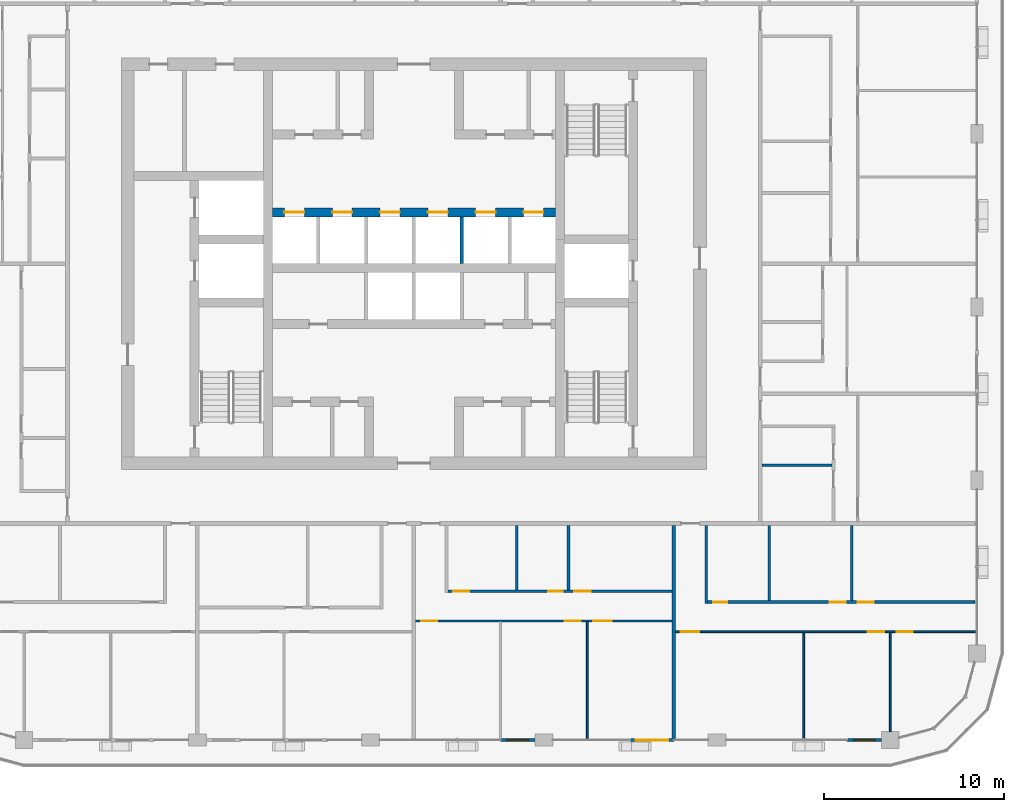
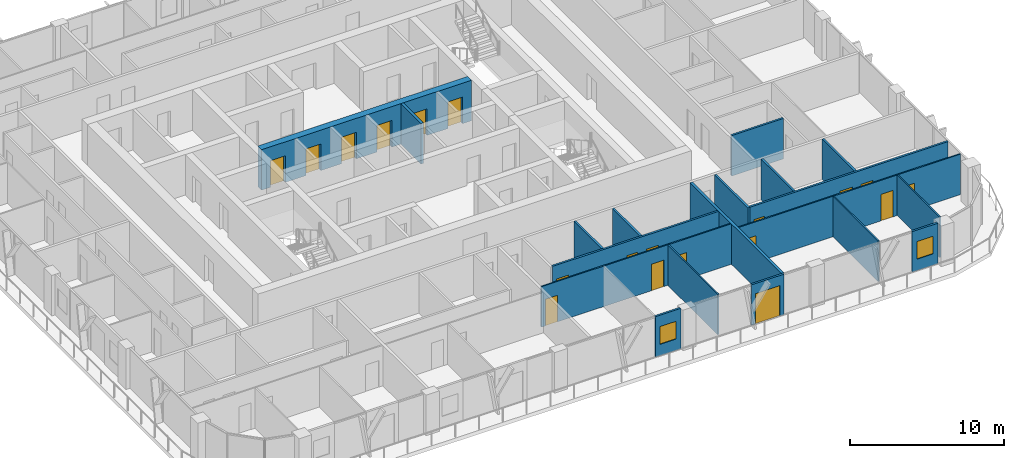
# One storey, part 11 of 22: 19 doors, 19 walls, 2 windows, 21 openings.
"""IFC4 building model written with IfcOpenShell, lengths in metres."""

from ifc_helpers import new_model, si_unit, direction, frame, frame_2d, origin, place, context, subcontext, project, spatial, rectangle, extrude, material, layer, layer_set, type_object, element, fill, save


model = new_model("IFC4")

# Units and contexts
model_context = context("Model", 3, precision=1e-05, world=origin(), true_north=direction((0.0, 1.0)))
body_context = subcontext(model_context, "Body", "Model", "MODEL_VIEW")
ifc_project = project(units=[si_unit("LENGTHUNIT", "METRE"), si_unit("AREAUNIT", "SQUARE_METRE"), si_unit("VOLUMEUNIT", "CUBIC_METRE"), si_unit("PLANEANGLEUNIT", "RADIAN"), si_unit("MASSUNIT", "GRAM", prefix="KILO")], contexts=[model_context])

# Site, building, storey
site_placement = place(None, origin())
site = spatial("IfcSite", under=ifc_project, at=site_placement, CompositionType="ELEMENT")
building_placement = place(site_placement, origin())
building = spatial("IfcBuilding", under=site, at=building_placement, Name="Madar Terraces", CompositionType="ELEMENT")
storey_placement = place(building_placement, frame((0.0, 0.0, 192.89990234375)))
storey = spatial("IfcBuildingStorey", under=building, at=storey_placement, Name="L50", CompositionType="ELEMENT", Elevation=192.89990234375)

# Wall, openings, doors
ifc_material_1 = material(Name="Concrete C60/75", Category="concrete")
ifc_layer_1 = layer(ifc_material_1, 0.5)
ifc_layer_set_1 = layer_set([ifc_layer_1], Name="Concrete C60/75 (CIW4 RC wall 500)")
wall_type_1 = type_object("IfcWallType", Name="CIW4 RC wall 500", PredefinedType="SHEAR", material=ifc_layer_set_1)
wall_1_placement = place(storey_placement, frame((23.35009765625, 29.25, 0.0), z_axis=(0.0, 0.0, 1.0), x_axis=(1.0, 0.0, 0.0)))
wall_1 = element("IfcWall", 1, at=wall_1_placement, inside=storey, type_object=wall_type_1, Name="CORE SHAFT WALL", PredefinedType="SHEAR", context=body_context, shape_type="SweptSolid", body=[
    extrude(rectangle(XDim=15.699951171875, YDim=0.5, at=frame_2d((7.85009765625, 0.0))), origin(), (0.0, 0.0, 1.0), 3.2001953125),
])
opening_1_placement = place(wall_1_placement, frame((0.675048828125, 0.0, 0.0)))
opening_1 = element("IfcOpeningElement", 2, at=opening_1_placement, cuts=wall_1, Name="Opening LD", PredefinedType="OPENING", context=body_context, shape_type="SweptSolid", body=[
    extrude(rectangle(XDim=1.10009765625, YDim=2.10009765625, at=frame_2d((0.550048828125, 1.050048828125))), frame((0.0, 0.260009765625, 0.0), z_axis=(0.0, -1.0, 0.0), x_axis=(1.0, 0.0, 0.0)), (0.0, 0.0, 1.0), 0.52001953125),
])
opening_2_placement = place(wall_1_placement, frame((3.324951171875, 0.0, 0.0)))
opening_2 = element("IfcOpeningElement", 3, at=opening_2_placement, cuts=wall_1, Name="Opening LD", PredefinedType="OPENING", context=body_context, shape_type="SweptSolid", body=[
    extrude(rectangle(XDim=1.10009765625, YDim=2.10009765625, at=frame_2d((0.550048828125, 1.050048828125))), frame((0.0, 0.260009765625, 0.0), z_axis=(0.0, -1.0, 0.0), x_axis=(1.0, 0.0, 0.0)), (0.0, 0.0, 1.0), 0.52001953125),
])
opening_3_placement = place(wall_1_placement, frame((5.97509765625, 0.0, 0.0)))
opening_3 = element("IfcOpeningElement", 4, at=opening_3_placement, cuts=wall_1, Name="Opening LD", PredefinedType="OPENING", context=body_context, shape_type="SweptSolid", body=[
    extrude(rectangle(XDim=1.10009765625, YDim=2.10009765625, at=frame_2d((0.550048828125, 1.050048828125))), frame((0.0, 0.260009765625, 0.0), z_axis=(0.0, -1.0, 0.0), x_axis=(1.0, 0.0, 0.0)), (0.0, 0.0, 1.0), 0.52001953125),
])
opening_4_placement = place(wall_1_placement, frame((8.625, 0.0, 0.0)))
opening_4 = element("IfcOpeningElement", 5, at=opening_4_placement, cuts=wall_1, Name="Opening LD", PredefinedType="OPENING", context=body_context, shape_type="SweptSolid", body=[
    extrude(rectangle(XDim=1.10009765625, YDim=2.10009765625, at=frame_2d((0.550048828125, 1.050048828125))), frame((0.0, 0.260009765625, 0.0), z_axis=(0.0, -1.0, 0.0), x_axis=(1.0, 0.0, 0.0)), (0.0, 0.0, 1.0), 0.52001953125),
])
opening_5_placement = place(wall_1_placement, frame((11.27490234375, 0.0, 0.0)))
opening_5 = element("IfcOpeningElement", 6, at=opening_5_placement, cuts=wall_1, Name="Opening LD", PredefinedType="OPENING", context=body_context, shape_type="SweptSolid", body=[
    extrude(rectangle(XDim=1.10009765625, YDim=2.10009765625, at=frame_2d((0.550048828125, 1.050048828125))), frame((0.0, 0.260009765625, 0.0), z_axis=(0.0, -1.0, 0.0), x_axis=(1.0, 0.0, 0.0)), (0.0, 0.0, 1.0), 0.52001953125),
])
opening_6_placement = place(wall_1_placement, frame((13.925048828125, 0.0, 0.0)))
opening_6 = element("IfcOpeningElement", 7, at=opening_6_placement, cuts=wall_1, Name="Opening LD", PredefinedType="OPENING", context=body_context, shape_type="SweptSolid", body=[
    extrude(rectangle(XDim=1.10009765625, YDim=2.10009765625, at=frame_2d((0.550048828125, 1.050048828125))), frame((0.0, 0.260009765625, 0.0), z_axis=(0.0, -1.0, 0.0), x_axis=(1.0, 0.0, 0.0)), (0.0, 0.0, 1.0), 0.52001953125),
])
ifc_material_2 = material(Name="Stainless steel panel", Category="steel")
door_type_1 = type_object("IfcDoorType", Name="Lift landing door 1100 x 2100", OperationType="DOUBLE_DOOR_SLIDING", PredefinedType="DOOR", material=ifc_material_2)
door_1_placement = place(opening_1_placement, origin())
door_1 = element("IfcDoor", 8, at=door_1_placement, inside=storey, type_object=door_type_1, Name="LIFT LANDING DOOR", OperationType="DOUBLE_DOOR_SLIDING", OverallHeight=2.10009765625, OverallWidth=1.10009765625, PredefinedType="DOOR", context=body_context, shape_type="SweptSolid", body=[
    extrude(rectangle(XDim=1.10009765625, YDim=2.10009765625, at=frame_2d((0.550048828125, 1.050048828125))), frame((0.0, 0.02490234375, 0.0), z_axis=(0.0, -1.0, 0.0), x_axis=(1.0, 0.0, 0.0)), (0.0, 0.0, 1.0), 0.050048828125),
])
fill(opening_1, door_1)
door_2_placement = place(opening_2_placement, origin())
door_2 = element("IfcDoor", 9, at=door_2_placement, inside=storey, type_object=door_type_1, Name="LIFT LANDING DOOR", OperationType="DOUBLE_DOOR_SLIDING", OverallHeight=2.10009765625, OverallWidth=1.10009765625, PredefinedType="DOOR", context=body_context, shape_type="SweptSolid", body=[
    extrude(rectangle(XDim=1.10009765625, YDim=2.10009765625, at=frame_2d((0.550048828125, 1.050048828125))), frame((0.0, 0.02490234375, 0.0), z_axis=(0.0, -1.0, 0.0), x_axis=(1.0, 0.0, 0.0)), (0.0, 0.0, 1.0), 0.050048828125),
])
fill(opening_2, door_2)
door_3_placement = place(opening_3_placement, origin())
door_3 = element("IfcDoor", 10, at=door_3_placement, inside=storey, type_object=door_type_1, Name="LIFT LANDING DOOR", OperationType="DOUBLE_DOOR_SLIDING", OverallHeight=2.10009765625, OverallWidth=1.10009765625, PredefinedType="DOOR", context=body_context, shape_type="SweptSolid", body=[
    extrude(rectangle(XDim=1.10009765625, YDim=2.10009765625, at=frame_2d((0.550048828125, 1.050048828125))), frame((0.0, 0.02490234375, 0.0), z_axis=(0.0, -1.0, 0.0), x_axis=(1.0, 0.0, 0.0)), (0.0, 0.0, 1.0), 0.050048828125),
])
fill(opening_3, door_3)
door_4_placement = place(opening_4_placement, origin())
door_4 = element("IfcDoor", 11, at=door_4_placement, inside=storey, type_object=door_type_1, Name="LIFT LANDING DOOR", OperationType="DOUBLE_DOOR_SLIDING", OverallHeight=2.10009765625, OverallWidth=1.10009765625, PredefinedType="DOOR", context=body_context, shape_type="SweptSolid", body=[
    extrude(rectangle(XDim=1.10009765625, YDim=2.10009765625, at=frame_2d((0.550048828125, 1.050048828125))), frame((0.0, 0.02490234375, 0.0), z_axis=(0.0, -1.0, 0.0), x_axis=(1.0, 0.0, 0.0)), (0.0, 0.0, 1.0), 0.050048828125),
])
fill(opening_4, door_4)
door_5_placement = place(opening_5_placement, origin())
door_5 = element("IfcDoor", 12, at=door_5_placement, inside=storey, type_object=door_type_1, Name="LIFT LANDING DOOR", OperationType="DOUBLE_DOOR_SLIDING", OverallHeight=2.10009765625, OverallWidth=1.10009765625, PredefinedType="DOOR", context=body_context, shape_type="SweptSolid", body=[
    extrude(rectangle(XDim=1.10009765625, YDim=2.10009765625, at=frame_2d((0.550048828125, 1.050048828125))), frame((0.0, 0.02490234375, 0.0), z_axis=(0.0, -1.0, 0.0), x_axis=(1.0, 0.0, 0.0)), (0.0, 0.0, 1.0), 0.050048828125),
])
fill(opening_5, door_5)
door_6_placement = place(opening_6_placement, origin())
door_6 = element("IfcDoor", 13, at=door_6_placement, inside=storey, type_object=door_type_1, Name="LIFT LANDING DOOR", OperationType="DOUBLE_DOOR_SLIDING", OverallHeight=2.10009765625, OverallWidth=1.10009765625, PredefinedType="DOOR", context=body_context, shape_type="SweptSolid", body=[
    extrude(rectangle(XDim=1.10009765625, YDim=2.10009765625, at=frame_2d((0.550048828125, 1.050048828125))), frame((0.0, 0.02490234375, 0.0), z_axis=(0.0, -1.0, 0.0), x_axis=(1.0, 0.0, 0.0)), (0.0, 0.0, 1.0), 0.050048828125),
])
fill(opening_6, door_6)

# Wall
ifc_material_3 = material(Name="Concrete C40/50", Category="concrete")
ifc_layer_2 = layer(ifc_material_3, 0.199951171875)
ifc_layer_set_2 = layer_set([ifc_layer_2], Name="Core shaft dividing wall 200 C40/50")
wall_type_2 = type_object("IfcWallType", Name="Core shaft dividing wall 200 C40/50", PredefinedType="SOLIDWALL", material=ifc_layer_set_2)
wall_2_placement = place(storey_placement, frame((33.85009765625, 26.39990234375, 0.0), z_axis=(0.0, 0.0, 1.0), x_axis=(0.0, 1.0, 0.0)))
element("IfcWall", 14, at=wall_2_placement, inside=storey, type_object=wall_type_2, Name="SHAFT DIVIDING WALL", PredefinedType="SOLIDWALL", context=body_context, shape_type="SweptSolid", body=[
    extrude(rectangle(XDim=2.60009765625, YDim=0.199951171875, at=frame_2d((1.300048828125, 0.0))), origin(), (0.0, 0.0, 1.0), 3.2001953125),
])

# Wall, opening, window
ifc_material_4 = material(Name="Aluminium composite panel, black, over insulated backing", Category="aluminium")
ifc_layer_3 = layer(ifc_material_4, 0.14990234375)
ifc_layer_set_3 = layer_set([ifc_layer_3], Name="Facade bay panel 150")
wall_type_3 = type_object("IfcWallType", Name="Facade bay panel 150", PredefinedType="SOLIDWALL", material=ifc_layer_set_3)
wall_3_placement = place(storey_placement, frame((36.0, 0.0, 0.0), z_axis=(0.0, 0.0, 1.0), x_axis=(1.0, 0.0, 0.0)))
wall_3 = element("IfcWall", 15, at=wall_3_placement, inside=storey, type_object=wall_type_3, Name="Facade bay panel", PredefinedType="SOLIDWALL", context=body_context, shape_type="SweptSolid", body=[
    extrude(rectangle(XDim=1.89990234375, YDim=0.14990234375, at=frame_2d((0.949951171875, 0.0))), origin(), (0.0, 0.0, 1.0), 3.2001953125),
])
opening_7_placement = place(wall_3_placement, frame((0.35009765625, 0.0, 0.89990234375)))
opening_7 = element("IfcOpeningElement", 16, at=opening_7_placement, cuts=wall_3, Name="Opening W1", PredefinedType="OPENING", context=body_context, shape_type="SweptSolid", body=[
    extrude(rectangle(XDim=1.199951171875, YDim=1.39990234375, at=frame_2d((0.60009765625, 0.699951171875))), frame((0.0, 0.0849609375, 0.0), z_axis=(0.0, -1.0, 0.0), x_axis=(1.0, 0.0, 0.0)), (0.0, 0.0, 1.0), 0.169921875),
])
ifc_material_5 = material(Name="Glass, clear, with black aluminium frame", Category="aluminium")
window_type = type_object("IfcWindowType", Name="Vent window 1200 x 1400", PartitioningType="SINGLE_PANEL", PredefinedType="WINDOW", material=ifc_material_5)
window_1_placement = place(opening_7_placement, origin())
window_1 = element("IfcWindow", 17, at=window_1_placement, inside=storey, type_object=window_type, Name="Operable vent window", OverallHeight=1.39990234375, OverallWidth=1.199951171875, PartitioningType="SINGLE_PANEL", PredefinedType="WINDOW", context=body_context, shape_type="SweptSolid", body=[
    extrude(rectangle(XDim=1.199951171875, YDim=1.39990234375, at=frame_2d((0.60009765625, 0.699951171875))), frame((0.0, 0.030029296875, 0.0), z_axis=(0.0, -1.0, 0.0), x_axis=(1.0, 0.0, 0.0)), (0.0, 0.0, 1.0), 0.06005859375),
])
fill(opening_7, window_1)

# Wall, opening, door
wall_4_placement = place(storey_placement, frame((43.199951171875, 0.0, 0.0), z_axis=(0.0, 0.0, 1.0), x_axis=(1.0, 0.0, 0.0)))
wall_4 = element("IfcWall", 18, at=wall_4_placement, inside=storey, type_object=wall_type_3, Name="Facade bay panel", PredefinedType="SOLIDWALL", context=body_context, shape_type="SweptSolid", body=[
    extrude(rectangle(XDim=2.400146484375, YDim=0.14990234375, at=frame_2d((1.2001953125, 0.0))), origin(), (0.0, 0.0, 1.0), 3.2001953125),
])
opening_8_placement = place(wall_4_placement, frame((0.300048828125, 0.0, 0.0)))
opening_8 = element("IfcOpeningElement", 19, at=opening_8_placement, cuts=wall_4, Name="Opening ED1", PredefinedType="OPENING", context=body_context, shape_type="SweptSolid", body=[
    extrude(rectangle(XDim=1.800048828125, YDim=2.39990234375, at=frame_2d((0.89990234375, 1.199951171875))), frame((0.0, 0.0849609375, 0.0), z_axis=(0.0, -1.0, 0.0), x_axis=(1.0, 0.0, 0.0)), (0.0, 0.0, 1.0), 0.169921875),
])
ifc_material_6 = material(Name="Glass, clear, with black aluminium frame", Category="aluminium")
door_type_2 = type_object("IfcDoorType", Name="Balcony and terrace sliding door 1800 x 2400", OperationType="SLIDING_TO_LEFT", PredefinedType="DOOR", material=ifc_material_6)
door_7_placement = place(opening_8_placement, origin())
door_7 = element("IfcDoor", 20, at=door_7_placement, inside=storey, type_object=door_type_2, Name="Balcony door", OperationType="SLIDING_TO_LEFT", OverallHeight=2.39990234375, OverallWidth=1.800048828125, PredefinedType="DOOR", context=body_context, shape_type="SweptSolid", body=[
    extrude(rectangle(XDim=1.800048828125, YDim=2.39990234375, at=frame_2d((0.89990234375, 1.199951171875))), frame((0.0, 0.02490234375, 0.0), z_axis=(0.0, -1.0, 0.0), x_axis=(1.0, 0.0, 0.0)), (0.0, 0.0, 1.0), 0.050048828125),
])
fill(opening_8, door_7)

# Wall, opening, window
wall_5_placement = place(storey_placement, frame((55.199951171875, 0.0, 0.0), z_axis=(0.0, 0.0, 1.0), x_axis=(1.0, 0.0, 0.0)))
wall_5 = element("IfcWall", 21, at=wall_5_placement, inside=storey, type_object=wall_type_3, Name="Facade bay panel", PredefinedType="SOLIDWALL", context=body_context, shape_type="SweptSolid", body=[
    extrude(rectangle(XDim=1.925048828125, YDim=0.14990234375, at=frame_2d((0.96240234375, 0.0))), origin(), (0.0, 0.0, 1.0), 3.2001953125),
])
opening_9_placement = place(wall_5_placement, frame((0.362548828125, 0.0, 0.89990234375)))
opening_9 = element("IfcOpeningElement", 22, at=opening_9_placement, cuts=wall_5, Name="Opening W1", PredefinedType="OPENING", context=body_context, shape_type="SweptSolid", body=[
    extrude(rectangle(XDim=1.199951171875, YDim=1.39990234375, at=frame_2d((0.60009765625, 0.699951171875))), frame((0.0, 0.0849609375, 0.0), z_axis=(0.0, -1.0, 0.0), x_axis=(1.0, 0.0, 0.0)), (0.0, 0.0, 1.0), 0.169921875),
])
window_2_placement = place(opening_9_placement, origin())
window_2 = element("IfcWindow", 23, at=window_2_placement, inside=storey, type_object=window_type, Name="Operable vent window", OverallHeight=1.39990234375, OverallWidth=1.199951171875, PartitioningType="SINGLE_PANEL", PredefinedType="WINDOW", context=body_context, shape_type="SweptSolid", body=[
    extrude(rectangle(XDim=1.199951171875, YDim=1.39990234375, at=frame_2d((0.60009765625, 0.699951171875))), frame((0.0, 0.030029296875, 0.0), z_axis=(0.0, -1.0, 0.0), x_axis=(1.0, 0.0, 0.0)), (0.0, 0.0, 1.0), 0.06005859375),
])
fill(opening_9, window_2)

# Wall
ifc_material_7 = material(Name="Gypsum board on steel studs", Category="steel")
ifc_layer_4 = layer(ifc_material_7, 0.10009765625)
ifc_layer_set_4 = layer_set([ifc_layer_4], Name="Flat partition 100")
wall_type_4 = type_object("IfcWallType", Name="Flat partition 100", PredefinedType="PARTITIONING", material=ifc_layer_set_4)
wall_6_placement = place(storey_placement, frame((40.800048828125, 6.550048828125, 0.0), z_axis=(0.0, 0.0, 1.0), x_axis=(0.0, -1.0, 0.0)))
element("IfcWall", 24, at=wall_6_placement, inside=storey, type_object=wall_type_4, Name="Flat partition 100", PredefinedType="PARTITIONING", context=body_context, shape_type="SweptSolid", body=[
    extrude(rectangle(XDim=6.449951171875, YDim=0.10009765625, at=frame_2d((3.22509765625, 0.0))), origin(), (0.0, 0.0, 1.0), 3.2001953125),
])

# Wall, openings, doors
wall_7_placement = place(storey_placement, frame((45.5, 6.60009765625, 0.0), z_axis=(0.0, 0.0, 1.0), x_axis=(-1.0, 0.0, 0.0)))
wall_7 = element("IfcWall", 25, at=wall_7_placement, inside=storey, type_object=wall_type_4, Name="Flat partition 100", PredefinedType="PARTITIONING", context=body_context, shape_type="SweptSolid", body=[
    extrude(rectangle(XDim=14.199951171875, YDim=0.10009765625, at=frame_2d((7.10009765625, 0.0))), origin(), (0.0, 0.0, 1.0), 3.2001953125),
])
opening_10_placement = place(wall_7_placement, frame((13.0, 0.0, 0.0)))
opening_10 = element("IfcOpeningElement", 26, at=opening_10_placement, cuts=wall_7, Name="Opening D2", PredefinedType="OPENING", context=body_context, shape_type="SweptSolid", body=[
    extrude(rectangle(XDim=0.89990234375, YDim=2.10009765625, at=frame_2d((0.449951171875, 1.050048828125))), frame((0.0, 0.06005859375, 0.0), z_axis=(0.0, -1.0, 0.0), x_axis=(1.0, 0.0, 0.0)), (0.0, 0.0, 1.0), 0.1201171875),
])
opening_11_placement = place(wall_7_placement, frame((5.050048828125, 0.0, 0.0)))
opening_11 = element("IfcOpeningElement", 27, at=opening_11_placement, cuts=wall_7, Name="Opening D2", PredefinedType="OPENING", context=body_context, shape_type="SweptSolid", body=[
    extrude(rectangle(XDim=0.89990234375, YDim=2.10009765625, at=frame_2d((0.449951171875, 1.050048828125))), frame((0.0, 0.06005859375, 0.0), z_axis=(0.0, -1.0, 0.0), x_axis=(1.0, 0.0, 0.0)), (0.0, 0.0, 1.0), 0.1201171875),
])
opening_12_placement = place(wall_7_placement, frame((3.35009765625, 0.0, 0.0)))
opening_12 = element("IfcOpeningElement", 28, at=opening_12_placement, cuts=wall_7, Name="Opening D3", PredefinedType="OPENING", context=body_context, shape_type="SweptSolid", body=[
    extrude(rectangle(XDim=1.0, YDim=2.10009765625, at=frame_2d((0.5, 1.050048828125))), frame((0.0, 0.06005859375, 0.0), z_axis=(0.0, -1.0, 0.0), x_axis=(1.0, 0.0, 0.0)), (0.0, 0.0, 1.0), 0.1201171875),
])
ifc_material_8 = material(Name="Timber door leaf", Category="wood")
door_type_3 = type_object("IfcDoorType", Name="Flat living room door 1000", OperationType="NOTDEFINED", PredefinedType="DOOR", material=ifc_material_8)
door_8_placement = place(opening_12_placement, origin())
door_8 = element("IfcDoor", 29, at=door_8_placement, inside=storey, type_object=door_type_3, Name="Flat living room door 1000", OperationType="SINGLE_SWING_RIGHT", OverallHeight=2.10009765625, OverallWidth=1.0, PredefinedType="DOOR", context=body_context, shape_type="SweptSolid", body=[
    extrude(rectangle(XDim=1.0, YDim=2.10009765625, at=frame_2d((0.5, 1.050048828125))), frame((0.0, 0.02490234375, 0.0), z_axis=(0.0, -1.0, 0.0), x_axis=(1.0, 0.0, 0.0)), (0.0, 0.0, 1.0), 0.050048828125),
])
fill(opening_12, door_8)
ifc_material_9 = material(Name="Timber door leaf", Category="wood")
door_type_4 = type_object("IfcDoorType", Name="Flat room door 900", OperationType="NOTDEFINED", PredefinedType="DOOR", material=ifc_material_9)
door_9_placement = place(opening_10_placement, origin())
door_9 = element("IfcDoor", 30, at=door_9_placement, inside=storey, type_object=door_type_4, Name="Flat room door 900", OperationType="SINGLE_SWING_RIGHT", OverallHeight=2.10009765625, OverallWidth=0.89990234375, PredefinedType="DOOR", context=body_context, shape_type="SweptSolid", body=[
    extrude(rectangle(XDim=0.89990234375, YDim=2.10009765625, at=frame_2d((0.449951171875, 1.050048828125))), frame((0.0, 0.02490234375, 0.0), z_axis=(0.0, -1.0, 0.0), x_axis=(1.0, 0.0, 0.0)), (0.0, 0.0, 1.0), 0.050048828125),
])
fill(opening_10, door_9)
door_10_placement = place(opening_11_placement, origin())
door_10 = element("IfcDoor", 31, at=door_10_placement, inside=storey, type_object=door_type_4, Name="Flat room door 900", OperationType="SINGLE_SWING_LEFT", OverallHeight=2.10009765625, OverallWidth=0.89990234375, PredefinedType="DOOR", context=body_context, shape_type="SweptSolid", body=[
    extrude(rectangle(XDim=0.89990234375, YDim=2.10009765625, at=frame_2d((0.449951171875, 1.050048828125))), frame((0.0, 0.02490234375, 0.0), z_axis=(0.0, -1.0, 0.0), x_axis=(1.0, 0.0, 0.0)), (0.0, 0.0, 1.0), 0.050048828125),
])
fill(opening_11, door_10)

# Walls
wall_8_placement = place(storey_placement, frame((52.800048828125, 5.949951171875, 0.0), z_axis=(0.0, 0.0, 1.0), x_axis=(0.0, -1.0, 0.0)))
element("IfcWall", 32, at=wall_8_placement, inside=storey, type_object=wall_type_4, Name="Flat partition 100", PredefinedType="PARTITIONING", context=body_context, shape_type="SweptSolid", body=[
    extrude(rectangle(XDim=5.849853515625, YDim=0.10009765625, at=frame_2d((2.9248046875, 0.0))), origin(), (0.0, 0.0, 1.0), 3.2001953125),
])
wall_9_placement = place(storey_placement, frame((57.60009765625, 5.949951171875, 0.0), z_axis=(0.0, 0.0, 1.0), x_axis=(0.0, -1.0, 0.0)))
element("IfcWall", 33, at=wall_9_placement, inside=storey, type_object=wall_type_4, Name="Flat partition 100", PredefinedType="PARTITIONING", context=body_context, shape_type="SweptSolid", body=[
    extrude(rectangle(XDim=5.474853515625, YDim=0.10009765625, at=frame_2d((2.7373046875, 0.0))), origin(), (0.0, 0.0, 1.0), 3.2001953125),
])

# Wall, openings, doors
wall_10_placement = place(storey_placement, frame((62.300048828125, 6.0, 0.0), z_axis=(0.0, 0.0, 1.0), x_axis=(-1.0, 0.0, 0.0)))
wall_10 = element("IfcWall", 34, at=wall_10_placement, inside=storey, type_object=wall_type_4, Name="Flat partition 100", PredefinedType="PARTITIONING", context=body_context, shape_type="SweptSolid", body=[
    extrude(rectangle(XDim=16.60009765625, YDim=0.10009765625, at=frame_2d((8.300048828125, 0.0))), origin(), (0.0, 0.0, 1.0), 3.2001953125),
])
opening_13_placement = place(wall_10_placement, frame((15.300048828125, 0.0, 0.0)))
opening_13 = element("IfcOpeningElement", 35, at=opening_13_placement, cuts=wall_10, Name="Opening D3", PredefinedType="OPENING", context=body_context, shape_type="SweptSolid", body=[
    extrude(rectangle(XDim=1.0, YDim=2.10009765625, at=frame_2d((0.5, 1.050048828125))), frame((0.0, 0.06005859375, 0.0), z_axis=(0.0, -1.0, 0.0), x_axis=(1.0, 0.0, 0.0)), (0.0, 0.0, 1.0), 0.1201171875),
])
opening_14_placement = place(wall_10_placement, frame((5.050048828125, 0.0, 0.0)))
opening_14 = element("IfcOpeningElement", 36, at=opening_14_placement, cuts=wall_10, Name="Opening D2", PredefinedType="OPENING", context=body_context, shape_type="SweptSolid", body=[
    extrude(rectangle(XDim=0.89990234375, YDim=2.10009765625, at=frame_2d((0.449951171875, 1.050048828125))), frame((0.0, 0.06005859375, 0.0), z_axis=(0.0, -1.0, 0.0), x_axis=(1.0, 0.0, 0.0)), (0.0, 0.0, 1.0), 0.1201171875),
])
opening_15_placement = place(wall_10_placement, frame((3.449951171875, 0.0, 0.0)))
opening_15 = element("IfcOpeningElement", 37, at=opening_15_placement, cuts=wall_10, Name="Opening D2", PredefinedType="OPENING", context=body_context, shape_type="SweptSolid", body=[
    extrude(rectangle(XDim=0.89990234375, YDim=2.10009765625, at=frame_2d((0.449951171875, 1.050048828125))), frame((0.0, 0.06005859375, 0.0), z_axis=(0.0, -1.0, 0.0), x_axis=(1.0, 0.0, 0.0)), (0.0, 0.0, 1.0), 0.1201171875),
])
door_11_placement = place(opening_13_placement, origin())
door_11 = element("IfcDoor", 38, at=door_11_placement, inside=storey, type_object=door_type_3, Name="Flat living room door 1000", OperationType="SINGLE_SWING_RIGHT", OverallHeight=2.10009765625, OverallWidth=1.0, PredefinedType="DOOR", context=body_context, shape_type="SweptSolid", body=[
    extrude(rectangle(XDim=1.0, YDim=2.10009765625, at=frame_2d((0.5, 1.050048828125))), frame((0.0, 0.02490234375, 0.0), z_axis=(0.0, -1.0, 0.0), x_axis=(1.0, 0.0, 0.0)), (0.0, 0.0, 1.0), 0.050048828125),
])
fill(opening_13, door_11)
door_12_placement = place(opening_14_placement, origin())
door_12 = element("IfcDoor", 39, at=door_12_placement, inside=storey, type_object=door_type_4, Name="Flat room door 900", OperationType="SINGLE_SWING_LEFT", OverallHeight=2.10009765625, OverallWidth=0.89990234375, PredefinedType="DOOR", context=body_context, shape_type="SweptSolid", body=[
    extrude(rectangle(XDim=0.89990234375, YDim=2.10009765625, at=frame_2d((0.449951171875, 1.050048828125))), frame((0.0, 0.02490234375, 0.0), z_axis=(0.0, -1.0, 0.0), x_axis=(1.0, 0.0, 0.0)), (0.0, 0.0, 1.0), 0.050048828125),
])
fill(opening_14, door_12)
door_13_placement = place(opening_15_placement, origin())
door_13 = element("IfcDoor", 40, at=door_13_placement, inside=storey, type_object=door_type_4, Name="Flat room door 900", OperationType="SINGLE_SWING_RIGHT", OverallHeight=2.10009765625, OverallWidth=0.89990234375, PredefinedType="DOOR", context=body_context, shape_type="SweptSolid", body=[
    extrude(rectangle(XDim=0.89990234375, YDim=2.10009765625, at=frame_2d((0.449951171875, 1.050048828125))), frame((0.0, 0.02490234375, 0.0), z_axis=(0.0, -1.0, 0.0), x_axis=(1.0, 0.0, 0.0)), (0.0, 0.0, 1.0), 0.050048828125),
])
fill(opening_15, door_13)

# Walls
ifc_material_10 = material(Name="Lightweight blockwork", Category="masonry")
ifc_layer_5 = layer(ifc_material_10, 0.199951171875)
ifc_layer_set_5 = layer_set([ifc_layer_5], Name="Flat party and entrance wall 200")
wall_type_5 = type_object("IfcWallType", Name="Flat party and entrance wall 200", PredefinedType="PARTITIONING", material=ifc_layer_set_5)
wall_11_placement = place(storey_placement, frame((45.60009765625, 11.89990234375, 0.0), z_axis=(0.0, 0.0, 1.0), x_axis=(0.0, -1.0, 0.0)))
element("IfcWall", 41, at=wall_11_placement, inside=storey, type_object=wall_type_5, Name="Flat party and entrance wall 200", PredefinedType="PARTITIONING", context=body_context, shape_type="SweptSolid", body=[
    extrude(rectangle(XDim=11.7998046875, YDim=0.199951171875, at=frame_2d((5.89990234375, 0.0))), origin(), (0.0, 0.0, 1.0), 3.2001953125),
])
ifc_material_11 = material(Name="Lightweight blockwork", Category="masonry")
ifc_layer_6 = layer(ifc_material_11, 0.14990234375)
ifc_layer_set_6 = layer_set([ifc_layer_6], Name="Flat wet-room partition 150")
wall_type_6 = type_object("IfcWallType", Name="Flat wet-room partition 150", PredefinedType="PARTITIONING", material=ifc_layer_set_6)
for number, where, z_axis, x_axis, name in (
    (42, (36.898193359375, 11.89990234375, 0.0), (0.0, 0.0, 1.0), (0.0, -1.0, 0.0), "Flat wet-room partition 150"),
    (43, (39.765380859375, 11.89990234375, 0.0), (0.0, 0.0, 1.0), (0.0, -1.0, 0.0), "Flat wet-room partition 150"),
):
    element("IfcWall", number, at=place(storey_placement, frame(where, z_axis=z_axis, x_axis=x_axis)), inside=storey, type_object=wall_type_6, Name=name, PredefinedType="PARTITIONING", context=body_context, shape_type="SweptSolid", body=[
        extrude(rectangle(XDim=3.574951171875, YDim=0.14990234375, at=frame_2d((1.78759765625, 0.0))), origin(), (0.0, 0.0, 1.0), 3.2001953125),
    ])

# Wall, openings, doors
wall_12_placement = place(storey_placement, frame((33.074951171875, 8.25, 0.0), z_axis=(0.0, 0.0, 1.0), x_axis=(1.0, 0.0, 0.0)))
wall_12 = element("IfcWall", 44, at=wall_12_placement, inside=storey, type_object=wall_type_6, Name="Flat wet-room partition 150", PredefinedType="PARTITIONING", context=body_context, shape_type="SweptSolid", body=[
    extrude(rectangle(XDim=12.425048828125, YDim=0.14990234375, at=frame_2d((6.21240234375, 0.0))), origin(), (0.0, 0.0, 1.0), 3.2001953125),
])
opening_16_placement = place(wall_12_placement, frame((0.300048828125, 0.0, 0.0)))
opening_16 = element("IfcOpeningElement", 45, at=opening_16_placement, cuts=wall_12, Name="Opening D5", PredefinedType="OPENING", context=body_context, shape_type="SweptSolid", body=[
    extrude(rectangle(XDim=0.89990234375, YDim=2.10009765625, at=frame_2d((0.449951171875, 1.050048828125))), frame((0.0, 0.0849609375, 0.0), z_axis=(0.0, -1.0, 0.0), x_axis=(1.0, 0.0, 0.0)), (0.0, 0.0, 1.0), 0.169921875),
])
opening_17_placement = place(wall_12_placement, frame((5.5654296875, 0.0, 0.0)))
opening_17 = element("IfcOpeningElement", 46, at=opening_17_placement, cuts=wall_12, Name="Opening D4", PredefinedType="OPENING", context=body_context, shape_type="SweptSolid", body=[
    extrude(rectangle(XDim=0.800048828125, YDim=2.10009765625, at=frame_2d((0.39990234375, 1.050048828125))), frame((0.0, 0.0849609375, 0.0), z_axis=(0.0, -1.0, 0.0), x_axis=(1.0, 0.0, 0.0)), (0.0, 0.0, 1.0), 0.169921875),
])
opening_18_placement = place(wall_12_placement, frame((7.015380859375, 0.0, 0.0)))
opening_18 = element("IfcOpeningElement", 47, at=opening_18_placement, cuts=wall_12, Name="Opening D2", PredefinedType="OPENING", context=body_context, shape_type="SweptSolid", body=[
    extrude(rectangle(XDim=0.89990234375, YDim=2.10009765625, at=frame_2d((0.449951171875, 1.050048828125))), frame((0.0, 0.0849609375, 0.0), z_axis=(0.0, -1.0, 0.0), x_axis=(1.0, 0.0, 0.0)), (0.0, 0.0, 1.0), 0.169921875),
])
ifc_material_12 = material(Name="Timber door leaf", Category="wood")
door_type_5 = type_object("IfcDoorType", Name="Flat accessible bathroom door 900", OperationType="NOTDEFINED", PredefinedType="DOOR", material=ifc_material_12)
door_14_placement = place(opening_16_placement, origin())
door_14 = element("IfcDoor", 48, at=door_14_placement, inside=storey, type_object=door_type_5, Name="Flat accessible bathroom door 900", OperationType="SINGLE_SWING_LEFT", OverallHeight=2.10009765625, OverallWidth=0.89990234375, PredefinedType="DOOR", context=body_context, shape_type="SweptSolid", body=[
    extrude(rectangle(XDim=0.89990234375, YDim=2.10009765625, at=frame_2d((0.449951171875, 1.050048828125))), frame((0.0, 0.02490234375, 0.0), z_axis=(0.0, -1.0, 0.0), x_axis=(1.0, 0.0, 0.0)), (0.0, 0.0, 1.0), 0.050048828125),
])
fill(opening_16, door_14)
ifc_material_13 = material(Name="Timber door leaf", Category="wood")
door_type_6 = type_object("IfcDoorType", Name="Flat bathroom door 800", OperationType="NOTDEFINED", PredefinedType="DOOR", material=ifc_material_13)
door_15_placement = place(opening_17_placement, origin())
door_15 = element("IfcDoor", 49, at=door_15_placement, inside=storey, type_object=door_type_6, Name="Flat bathroom door 800", OperationType="SINGLE_SWING_RIGHT", OverallHeight=2.10009765625, OverallWidth=0.800048828125, PredefinedType="DOOR", context=body_context, shape_type="SweptSolid", body=[
    extrude(rectangle(XDim=0.800048828125, YDim=2.10009765625, at=frame_2d((0.39990234375, 1.050048828125))), frame((0.0, 0.02490234375, 0.0), z_axis=(0.0, -1.0, 0.0), x_axis=(1.0, 0.0, 0.0)), (0.0, 0.0, 1.0), 0.050048828125),
])
fill(opening_17, door_15)
door_16_placement = place(opening_18_placement, origin())
door_16 = element("IfcDoor", 50, at=door_16_placement, inside=storey, type_object=door_type_4, Name="Flat room door 900", OperationType="SINGLE_SWING_LEFT", OverallHeight=2.10009765625, OverallWidth=0.89990234375, PredefinedType="DOOR", context=body_context, shape_type="SweptSolid", body=[
    extrude(rectangle(XDim=0.89990234375, YDim=2.10009765625, at=frame_2d((0.449951171875, 1.050048828125))), frame((0.0, 0.02490234375, 0.0), z_axis=(0.0, -1.0, 0.0), x_axis=(1.0, 0.0, 0.0)), (0.0, 0.0, 1.0), 0.050048828125),
])
fill(opening_18, door_16)

# Walls
for number, where, z_axis, x_axis, name in (
    (51, (50.896240234375, 11.89990234375, 0.0), (0.0, 0.0, 1.0), (0.0, -1.0, 0.0), "Flat wet-room partition 150"),
    (52, (55.457763671875, 11.89990234375, 0.0), (0.0, 0.0, 1.0), (0.0, -1.0, 0.0), "Flat wet-room partition 150"),
):
    element("IfcWall", number, at=place(storey_placement, frame(where, z_axis=z_axis, x_axis=x_axis)), inside=storey, type_object=wall_type_6, Name=name, PredefinedType="PARTITIONING", context=body_context, shape_type="SweptSolid", body=[
        extrude(rectangle(XDim=4.1748046875, YDim=0.14990234375, at=frame_2d((2.08740234375, 0.0))), origin(), (0.0, 0.0, 1.0), 3.2001953125),
    ])
wall_13_placement = place(storey_placement, frame((47.39990234375, 11.89990234375, 0.0), z_axis=(0.0, 0.0, 1.0), x_axis=(0.0, -1.0, 0.0)))
element("IfcWall", 53, at=wall_13_placement, inside=storey, type_object=wall_type_6, Name="Flat wet-room partition 150", PredefinedType="PARTITIONING", context=body_context, shape_type="SweptSolid", body=[
    extrude(rectangle(XDim=4.324951171875, YDim=0.14990234375, at=frame_2d((2.16259765625, 0.0))), origin(), (0.0, 0.0, 1.0), 3.2001953125),
])

# Wall, openings, doors
wall_14_placement = place(storey_placement, frame((47.47509765625, 7.64990234375, 0.0), z_axis=(0.0, 0.0, 1.0), x_axis=(1.0, 0.0, 0.0)))
wall_14 = element("IfcWall", 54, at=wall_14_placement, inside=storey, type_object=wall_type_6, Name="Flat wet-room partition 150", PredefinedType="PARTITIONING", context=body_context, shape_type="SweptSolid", body=[
    extrude(rectangle(XDim=14.824951171875, YDim=0.14990234375, at=frame_2d((7.41259765625, 0.0))), origin(), (0.0, 0.0, 1.0), 3.2001953125),
])
opening_19_placement = place(wall_14_placement, frame((0.300048828125, 0.0, 0.0)))
opening_19 = element("IfcOpeningElement", 55, at=opening_19_placement, cuts=wall_14, Name="Opening D4", PredefinedType="OPENING", context=body_context, shape_type="SweptSolid", body=[
    extrude(rectangle(XDim=0.800048828125, YDim=2.10009765625, at=frame_2d((0.39990234375, 1.050048828125))), frame((0.0, 0.0849609375, 0.0), z_axis=(0.0, -1.0, 0.0), x_axis=(1.0, 0.0, 0.0)), (0.0, 0.0, 1.0), 0.169921875),
])
opening_20_placement = place(wall_14_placement, frame((6.7578125, 0.0, 0.0)))
opening_20 = element("IfcOpeningElement", 56, at=opening_20_placement, cuts=wall_14, Name="Opening D5", PredefinedType="OPENING", context=body_context, shape_type="SweptSolid", body=[
    extrude(rectangle(XDim=0.89990234375, YDim=2.10009765625, at=frame_2d((0.449951171875, 1.050048828125))), frame((0.0, 0.0849609375, 0.0), z_axis=(0.0, -1.0, 0.0), x_axis=(1.0, 0.0, 0.0)), (0.0, 0.0, 1.0), 0.169921875),
])
opening_21_placement = place(wall_14_placement, frame((8.3076171875, 0.0, 0.0)))
opening_21 = element("IfcOpeningElement", 57, at=opening_21_placement, cuts=wall_14, Name="Opening D2", PredefinedType="OPENING", context=body_context, shape_type="SweptSolid", body=[
    extrude(rectangle(XDim=0.89990234375, YDim=2.10009765625, at=frame_2d((0.449951171875, 1.050048828125))), frame((0.0, 0.0849609375, 0.0), z_axis=(0.0, -1.0, 0.0), x_axis=(1.0, 0.0, 0.0)), (0.0, 0.0, 1.0), 0.169921875),
])
door_17_placement = place(opening_20_placement, origin())
door_17 = element("IfcDoor", 58, at=door_17_placement, inside=storey, type_object=door_type_5, Name="Flat accessible bathroom door 900", OperationType="SINGLE_SWING_RIGHT", OverallHeight=2.10009765625, OverallWidth=0.89990234375, PredefinedType="DOOR", context=body_context, shape_type="SweptSolid", body=[
    extrude(rectangle(XDim=0.89990234375, YDim=2.10009765625, at=frame_2d((0.449951171875, 1.050048828125))), frame((0.0, 0.02490234375, 0.0), z_axis=(0.0, -1.0, 0.0), x_axis=(1.0, 0.0, 0.0)), (0.0, 0.0, 1.0), 0.050048828125),
])
fill(opening_20, door_17)
door_18_placement = place(opening_19_placement, origin())
door_18 = element("IfcDoor", 59, at=door_18_placement, inside=storey, type_object=door_type_6, Name="Flat bathroom door 800", OperationType="SINGLE_SWING_LEFT", OverallHeight=2.10009765625, OverallWidth=0.800048828125, PredefinedType="DOOR", context=body_context, shape_type="SweptSolid", body=[
    extrude(rectangle(XDim=0.800048828125, YDim=2.10009765625, at=frame_2d((0.39990234375, 1.050048828125))), frame((0.0, 0.02490234375, 0.0), z_axis=(0.0, -1.0, 0.0), x_axis=(1.0, 0.0, 0.0)), (0.0, 0.0, 1.0), 0.050048828125),
])
fill(opening_19, door_18)
door_19_placement = place(opening_21_placement, origin())
door_19 = element("IfcDoor", 60, at=door_19_placement, inside=storey, type_object=door_type_4, Name="Flat room door 900", OperationType="SINGLE_SWING_LEFT", OverallHeight=2.10009765625, OverallWidth=0.89990234375, PredefinedType="DOOR", context=body_context, shape_type="SweptSolid", body=[
    extrude(rectangle(XDim=0.89990234375, YDim=2.10009765625, at=frame_2d((0.449951171875, 1.050048828125))), frame((0.0, 0.02490234375, 0.0), z_axis=(0.0, -1.0, 0.0), x_axis=(1.0, 0.0, 0.0)), (0.0, 0.0, 1.0), 0.050048828125),
])
fill(opening_21, door_19)

# Wall
wall_15_placement = place(storey_placement, frame((50.5, 15.235107421875, 0.0), z_axis=(0.0, 0.0, 1.0), x_axis=(1.0, 0.0, 0.0)))
element("IfcWall", 61, at=wall_15_placement, inside=storey, type_object=wall_type_6, Name="Flat wet-room partition 150", PredefinedType="PARTITIONING", context=body_context, shape_type="SweptSolid", body=[
    extrude(rectangle(XDim=3.875, YDim=0.14990234375, at=frame_2d((1.9375, 0.0))), origin(), (0.0, 0.0, 1.0), 3.2001953125),
])

save(model, "model.ifc")
